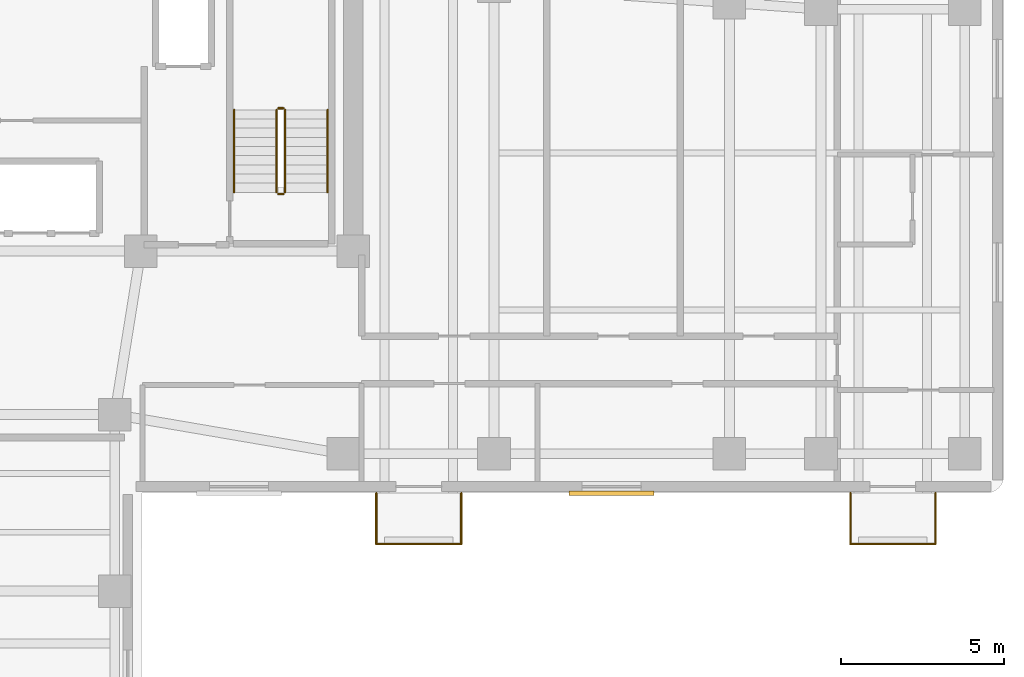
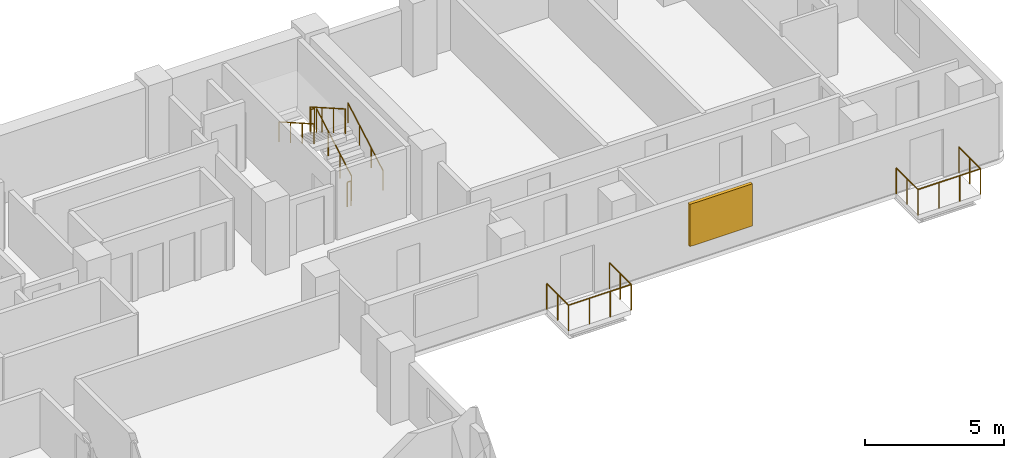
# One storey, part 7 of 7: 12 railings, 1 shading device.
"""IFC4 building model written with IfcOpenShell, lengths in metres."""

from ifc_helpers import new_model, si_unit, direction, frame, origin, origin_2d, place, context, subcontext, project, spatial, rectangle, circle, extrude, material, layer, layer_set, type_object, element, save


model = new_model("IFC4")

# Units and contexts
model_context = context("Model", 3, precision=1e-05, world=origin(), true_north=direction((0.0, 1.0)))
body_context = subcontext(model_context, "Body", "Model", "MODEL_VIEW")
ifc_project = project(units=[si_unit("LENGTHUNIT", "METRE"), si_unit("AREAUNIT", "SQUARE_METRE"), si_unit("VOLUMEUNIT", "CUBIC_METRE"), si_unit("PLANEANGLEUNIT", "RADIAN"), si_unit("MASSUNIT", "GRAM", prefix="KILO")], contexts=[model_context])

# Site, building, storey
site_placement = place(None, origin())
site = spatial("IfcSite", under=ifc_project, at=site_placement, CompositionType="ELEMENT")
building_placement = place(site_placement, origin())
building = spatial("IfcBuilding", under=site, at=building_placement, Name="Kuzgunbayir Cultural Tower", CompositionType="ELEMENT")
storey_placement = place(building_placement, frame((0.0, 0.0, 126.60009765625)))
storey = spatial("IfcBuildingStorey", under=building, at=storey_placement, Name="L36", CompositionType="ELEMENT", Elevation=126.60009765625)

# Railings
ifc_material_1 = material(Name="Laminated Glass and Stainless Steel", Category="steel")
ifc_layer_1 = layer(ifc_material_1, 0.080078125)
ifc_layer_set_1 = layer_set([ifc_layer_1], Name="Laminated Glass and Stainless Steel")
railing_type_1 = type_object("IfcRailingType", Name="RLG-BAL-115", PredefinedType="BALUSTRADE", material=ifc_layer_set_1)
railing_1_placement = place(storey_placement, frame((27.60009765625, 26.39990234375, 0.0)))
element("IfcRailing", 1, at=railing_1_placement, inside=storey, type_object=railing_type_1, Name="L36 Balcony Guard BAL-L36-WB1 Segment 1", PredefinedType="BALUSTRADE", context=body_context, shape_type="SweptSolid", body=[
    extrude(circle(Radius=0.02392578125, at=origin_2d()), frame((0.0, 0.0, 1.1259765625), z_axis=(0.0, -1.0, 0.0), x_axis=(1.0, 0.0, 0.0)), (0.0, 0.0, 1.0), 1.559814453125),
    extrude(circle(Radius=0.02099609375, at=origin_2d()), origin(), (0.0, 0.0, 1.0), 1.101806640625),
    extrude(circle(Radius=0.02099609375, at=origin_2d()), frame((0.0, -0.77978515625, 0.0)), (0.0, 0.0, 1.0), 1.101806640625),
    extrude(circle(Radius=0.02099609375, at=origin_2d()), frame((0.0, -1.559814453125, 0.0)), (0.0, 0.0, 1.0), 1.101806640625),
])
railing_2_placement = place(storey_placement, frame((27.60009765625, 24.840087890625, 0.0)))
element("IfcRailing", 2, at=railing_2_placement, inside=storey, type_object=railing_type_1, Name="L36 Balcony Guard BAL-L36-WB1 Segment 2", PredefinedType="BALUSTRADE", context=body_context, shape_type="SweptSolid", body=[
    extrude(circle(Radius=0.02392578125, at=origin_2d()), frame((0.0, 0.0, 1.1259765625), z_axis=(1.0, 0.0, 0.0), x_axis=(0.0, 1.0, 0.0)), (0.0, 0.0, 1.0), 2.599853515625),
    extrude(circle(Radius=0.02099609375, at=origin_2d()), origin(), (0.0, 0.0, 1.0), 1.101806640625),
    extrude(circle(Radius=0.02099609375, at=origin_2d()), frame((0.86669921875, 0.0, 0.0)), (0.0, 0.0, 1.0), 1.101806640625),
    extrude(circle(Radius=0.02099609375, at=origin_2d()), frame((1.733154296875, 0.0, 0.0)), (0.0, 0.0, 1.0), 1.101806640625),
    extrude(circle(Radius=0.02099609375, at=origin_2d()), frame((2.599853515625, 0.0, 0.0)), (0.0, 0.0, 1.0), 1.101806640625),
])
railing_3_placement = place(storey_placement, frame((30.199951171875, 24.840087890625, 0.0)))
element("IfcRailing", 3, at=railing_3_placement, inside=storey, type_object=railing_type_1, Name="L36 Balcony Guard BAL-L36-WB1 Segment 3", PredefinedType="BALUSTRADE", context=body_context, shape_type="SweptSolid", body=[
    extrude(circle(Radius=0.02392578125, at=origin_2d()), frame((0.0, 0.0, 1.1259765625), z_axis=(0.0, 1.0, 0.0), x_axis=(-1.0, 0.0, 0.0)), (0.0, 0.0, 1.0), 1.559814453125),
    extrude(circle(Radius=0.02099609375, at=origin_2d()), origin(), (0.0, 0.0, 1.0), 1.101806640625),
    extrude(circle(Radius=0.02099609375, at=origin_2d()), frame((0.0, 0.77978515625, 0.0)), (0.0, 0.0, 1.0), 1.101806640625),
    extrude(circle(Radius=0.02099609375, at=origin_2d()), frame((0.0, 1.559814453125, 0.0)), (0.0, 0.0, 1.0), 1.101806640625),
])
railing_4_placement = place(storey_placement, frame((42.10009765625, 26.39990234375, 0.0)))
element("IfcRailing", 4, at=railing_4_placement, inside=storey, type_object=railing_type_1, Name="L36 Balcony Guard BAL-L36-WB3 Segment 1", PredefinedType="BALUSTRADE", context=body_context, shape_type="SweptSolid", body=[
    extrude(circle(Radius=0.02392578125, at=origin_2d()), frame((0.0, 0.0, 1.1259765625), z_axis=(0.0, -1.0, 0.0), x_axis=(1.0, 0.0, 0.0)), (0.0, 0.0, 1.0), 1.559814453125),
    extrude(circle(Radius=0.02099609375, at=origin_2d()), origin(), (0.0, 0.0, 1.0), 1.101806640625),
    extrude(circle(Radius=0.02099609375, at=origin_2d()), frame((0.0, -0.77978515625, 0.0)), (0.0, 0.0, 1.0), 1.101806640625),
    extrude(circle(Radius=0.02099609375, at=origin_2d()), frame((0.0, -1.559814453125, 0.0)), (0.0, 0.0, 1.0), 1.101806640625),
])
railing_5_placement = place(storey_placement, frame((42.10009765625, 24.840087890625, 0.0)))
element("IfcRailing", 5, at=railing_5_placement, inside=storey, type_object=railing_type_1, Name="L36 Balcony Guard BAL-L36-WB3 Segment 2", PredefinedType="BALUSTRADE", context=body_context, shape_type="SweptSolid", body=[
    extrude(circle(Radius=0.02392578125, at=origin_2d()), frame((0.0, 0.0, 1.1259765625), z_axis=(1.0, 0.0, 0.0), x_axis=(0.0, 1.0, 0.0)), (0.0, 0.0, 1.0), 2.599853515625),
    extrude(circle(Radius=0.02099609375, at=origin_2d()), origin(), (0.0, 0.0, 1.0), 1.101806640625),
    extrude(circle(Radius=0.02099609375, at=origin_2d()), frame((0.86669921875, 0.0, 0.0)), (0.0, 0.0, 1.0), 1.101806640625),
    extrude(circle(Radius=0.02099609375, at=origin_2d()), frame((1.733154296875, 0.0, 0.0)), (0.0, 0.0, 1.0), 1.101806640625),
    extrude(circle(Radius=0.02099609375, at=origin_2d()), frame((2.599853515625, 0.0, 0.0)), (0.0, 0.0, 1.0), 1.101806640625),
])
railing_6_placement = place(storey_placement, frame((44.699951171875, 24.840087890625, 0.0)))
element("IfcRailing", 6, at=railing_6_placement, inside=storey, type_object=railing_type_1, Name="L36 Balcony Guard BAL-L36-WB3 Segment 3", PredefinedType="BALUSTRADE", context=body_context, shape_type="SweptSolid", body=[
    extrude(circle(Radius=0.02392578125, at=origin_2d()), frame((0.0, 0.0, 1.1259765625), z_axis=(0.0, 1.0, 0.0), x_axis=(-1.0, 0.0, 0.0)), (0.0, 0.0, 1.0), 1.559814453125),
    extrude(circle(Radius=0.02099609375, at=origin_2d()), origin(), (0.0, 0.0, 1.0), 1.101806640625),
    extrude(circle(Radius=0.02099609375, at=origin_2d()), frame((0.0, 0.77978515625, 0.0)), (0.0, 0.0, 1.0), 1.101806640625),
    extrude(circle(Radius=0.02099609375, at=origin_2d()), frame((0.0, 1.559814453125, 0.0)), (0.0, 0.0, 1.0), 1.101806640625),
])
ifc_material_2 = material(Name="Brushed Stainless Steel", Category="steel")
ifc_layer_2 = layer(ifc_material_2, 0.050048828125)
ifc_layer_set_2 = layer_set([ifc_layer_2], Name="Brushed Stainless Steel")
railing_type_2 = type_object("IfcRailingType", Name="RLG-STAIR-HANDRAIL", PredefinedType="HANDRAIL", material=ifc_layer_set_2)
railing_7_placement = place(storey_placement, frame((26.110107421875, 35.60009765625, 0.159912109375)))
element("IfcRailing", 7, at=railing_7_placement, inside=storey, type_object=railing_type_2, Name="L36 ST-2 stair handrail 1", PredefinedType="HANDRAIL", context=body_context, shape_type="SweptSolid", body=[
    extrude(circle(Radius=0.02392578125, at=origin_2d()), frame((0.0, 0.0, 0.8759765625), z_axis=(0.0, 0.868253494771, 0.496120820787), x_axis=(-1.0, 0.0, 0.0)), (0.0, 0.0, 1.0), 2.90234375),
    extrude(circle(Radius=0.02099609375, at=origin_2d()), origin(), (0.0, 0.0, 1.0), 0.851806640625),
    extrude(circle(Radius=0.02099609375, at=origin_2d()), frame((0.0, 0.840087890625, 0.47998046875)), (0.0, 0.0, 1.0), 0.851806640625),
    extrude(circle(Radius=0.02099609375, at=origin_2d()), frame((0.0, 1.679931640625, 0.9599609375)), (0.0, 0.0, 1.0), 0.851806640625),
    extrude(circle(Radius=0.02099609375, at=origin_2d()), frame((0.0, 2.52001953125, 1.43994140625)), (0.0, 0.0, 1.0), 0.851806640625),
])
railing_8_placement = place(storey_placement, frame((23.25, 38.1201171875, 1.760009765625)))
element("IfcRailing", 8, at=railing_8_placement, inside=storey, type_object=railing_type_2, Name="L36 ST-2 stair handrail 2", PredefinedType="HANDRAIL", context=body_context, shape_type="SweptSolid", body=[
    extrude(circle(Radius=0.02392578125, at=origin_2d()), frame((0.0, 0.0, 0.8759765625), z_axis=(0.0, -0.868253494771, 0.496120820787), x_axis=(1.0, 0.0, 0.0)), (0.0, 0.0, 1.0), 2.90234375),
    extrude(circle(Radius=0.02099609375, at=origin_2d()), origin(), (0.0, 0.0, 1.0), 0.851806640625),
    extrude(circle(Radius=0.02099609375, at=origin_2d()), frame((0.0, -0.840087890625, 0.47998046875)), (0.0, 0.0, 1.0), 0.851806640625),
    extrude(circle(Radius=0.02099609375, at=origin_2d()), frame((0.0, -1.679931640625, 0.9599609375)), (0.0, 0.0, 1.0), 0.851806640625),
    extrude(circle(Radius=0.02099609375, at=origin_2d()), frame((0.0, -2.52001953125, 1.43994140625)), (0.0, 0.0, 1.0), 0.851806640625),
])
ifc_material_3 = material(Name="Painted Steel Balustrade", Category="steel")
ifc_layer_3 = layer(ifc_material_3, 0.06005859375)
ifc_layer_set_3 = layer_set([ifc_layer_3], Name="Painted Steel Balustrade")
railing_type_3 = type_object("IfcRailingType", Name="RLG-WELL-GUARD", PredefinedType="GUARDRAIL", material=ifc_layer_set_3)
railing_9_placement = place(storey_placement, frame((24.81005859375, 35.60009765625, 0.159912109375)))
element("IfcRailing", 9, at=railing_9_placement, inside=storey, type_object=railing_type_3, Name="L36 ST-2 stair guard 1", PredefinedType="GUARDRAIL", context=body_context, shape_type="SweptSolid", body=[
    extrude(circle(Radius=0.02392578125, at=origin_2d()), frame((0.0, 0.0, 1.076171875), z_axis=(0.0, 0.868253494771, 0.496120820787), x_axis=(-1.0, 0.0, 0.0)), (0.0, 0.0, 1.0), 2.90234375),
    extrude(circle(Radius=0.02099609375, at=origin_2d()), origin(), (0.0, 0.0, 1.0), 1.052001953125),
    extrude(circle(Radius=0.02099609375, at=origin_2d()), frame((0.0, 0.840087890625, 0.47998046875)), (0.0, 0.0, 1.0), 1.052001953125),
    extrude(circle(Radius=0.02099609375, at=origin_2d()), frame((0.0, 1.679931640625, 0.9599609375)), (0.0, 0.0, 1.0), 1.052001953125),
    extrude(circle(Radius=0.02099609375, at=origin_2d()), frame((0.0, 2.52001953125, 1.43994140625)), (0.0, 0.0, 1.0), 1.052001953125),
])
railing_10_placement = place(storey_placement, frame((24.760009765625, 38.169921875, 1.599853515625)))
element("IfcRailing", 10, at=railing_10_placement, inside=storey, type_object=railing_type_3, Name="L36 ST-2 stair guard 2", PredefinedType="GUARDRAIL", context=body_context, shape_type="SweptSolid", body=[
    extrude(circle(Radius=0.02392578125, at=origin_2d()), frame((0.0, 0.0, 1.076171875), z_axis=(-1.0, 0.0, 0.0), x_axis=(0.0, -1.0, 0.0)), (0.0, 0.0, 1.0), 0.159912109375),
    extrude(circle(Radius=0.02099609375, at=origin_2d()), origin(), (0.0, 0.0, 1.0), 1.052001953125),
    extrude(circle(Radius=0.02099609375, at=origin_2d()), frame((-0.159912109375, 0.0, 0.0)), (0.0, 0.0, 1.0), 1.052001953125),
])
railing_11_placement = place(storey_placement, frame((24.550048828125, 38.1201171875, 1.760009765625)))
element("IfcRailing", 11, at=railing_11_placement, inside=storey, type_object=railing_type_3, Name="L36 ST-2 stair guard 3", PredefinedType="GUARDRAIL", context=body_context, shape_type="SweptSolid", body=[
    extrude(circle(Radius=0.02392578125, at=origin_2d()), frame((0.0, 0.0, 1.076171875), z_axis=(0.0, -0.868253494771, 0.496120820787), x_axis=(1.0, 0.0, 0.0)), (0.0, 0.0, 1.0), 2.90234375),
    extrude(circle(Radius=0.02099609375, at=origin_2d()), origin(), (0.0, 0.0, 1.0), 1.052001953125),
    extrude(circle(Radius=0.02099609375, at=origin_2d()), frame((0.0, -0.840087890625, 0.47998046875)), (0.0, 0.0, 1.0), 1.052001953125),
    extrude(circle(Radius=0.02099609375, at=origin_2d()), frame((0.0, -1.679931640625, 0.9599609375)), (0.0, 0.0, 1.0), 1.052001953125),
    extrude(circle(Radius=0.02099609375, at=origin_2d()), frame((0.0, -2.52001953125, 1.43994140625)), (0.0, 0.0, 1.0), 1.052001953125),
])
railing_12_placement = place(storey_placement, frame((24.760009765625, 35.550048828125, 0.0)))
element("IfcRailing", 12, at=railing_12_placement, inside=storey, type_object=railing_type_3, Name="L36 ST-2 stair guard 4", PredefinedType="GUARDRAIL", context=body_context, shape_type="SweptSolid", body=[
    extrude(circle(Radius=0.02392578125, at=origin_2d()), frame((0.0, 0.0, 1.076171875), z_axis=(-1.0, 0.0, 0.0), x_axis=(0.0, -1.0, 0.0)), (0.0, 0.0, 1.0), 0.159912109375),
    extrude(circle(Radius=0.02099609375, at=origin_2d()), origin(), (0.0, 0.0, 1.0), 1.052001953125),
    extrude(circle(Radius=0.02099609375, at=origin_2d()), frame((-0.159912109375, 0.0, 0.0)), (0.0, 0.0, 1.0), 1.052001953125),
])

# Shading device
ifc_material_4 = material(Name="Perforated Bronze-Anodised Aluminium", Category="aluminium")
shading_device_type = type_object("IfcShadingDeviceType", Name="SHD-SOLAR-BRONZE", PredefinedType="JALOUSIE", material=ifc_material_4)
shading_device_placement = place(storey_placement, frame((34.800048828125, 26.39990234375, 0.724853515625), z_axis=(0.0, 0.0, 1.0), x_axis=(1.0, 0.0, 0.0)))
element("IfcShadingDevice", 13, at=shading_device_placement, inside=storey, type_object=shading_device_type, Name="L36 Solar Screen WBS13", PredefinedType="JALOUSIE", context=body_context, shape_type="SweptSolid", body=[
    extrude(rectangle(XDim=2.60009765625, YDim=0.139892578125, at=origin_2d()), origin(), (0.0, 0.0, 1.0), 1.85009765625),
])

save(model, "model.ifc")
